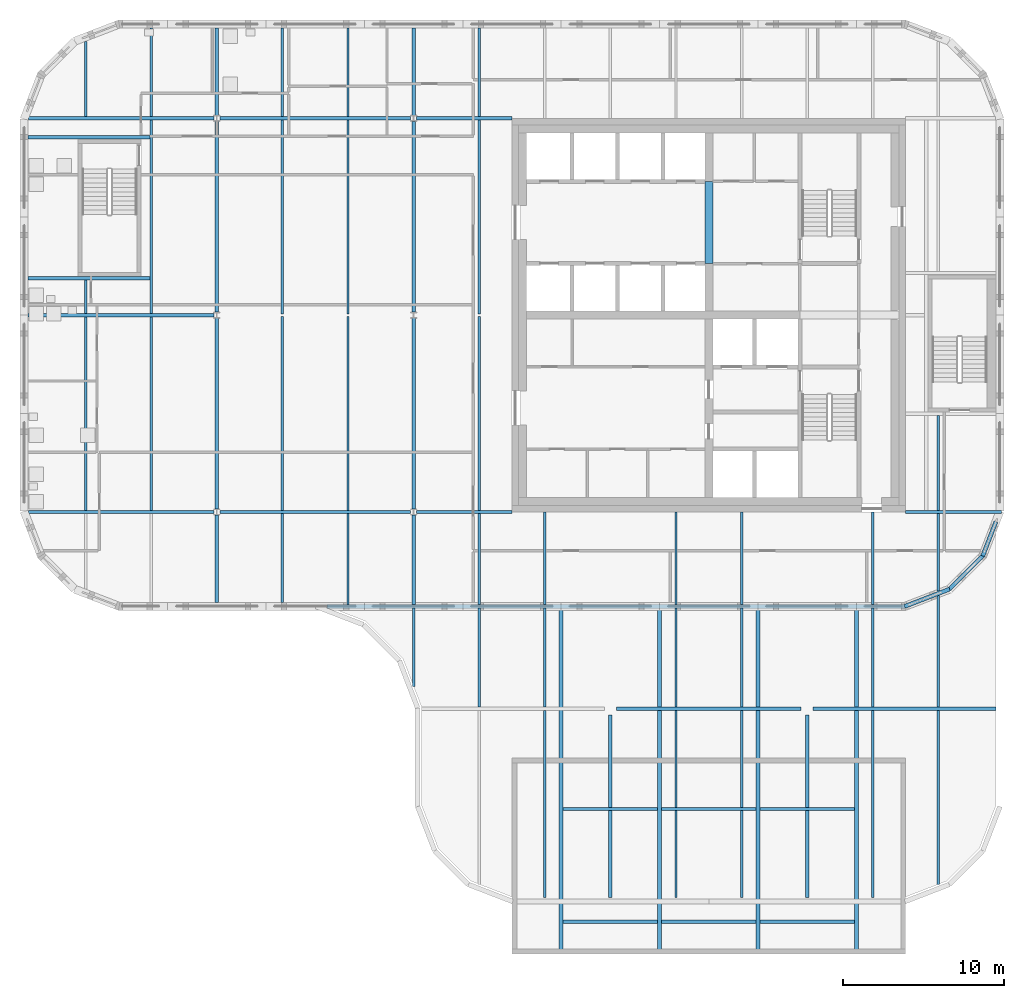
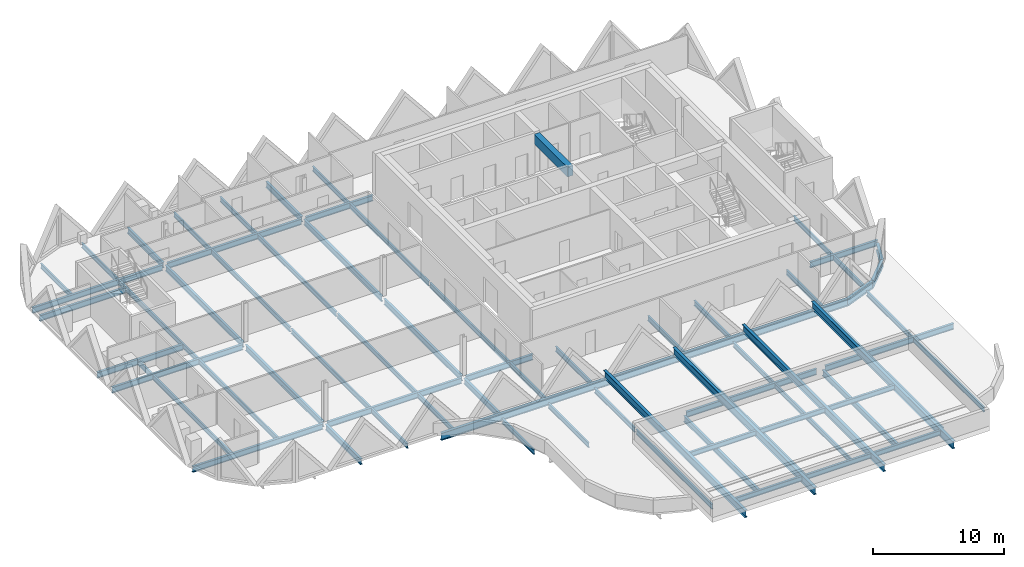
# One storey, part 2 of 12: 73 beams.
"""IFC4 building model written with IfcOpenShell, lengths in metres."""

from ifc_helpers import new_model, si_unit, direction, frame, origin, origin_2d, place, context, subcontext, project, spatial, rectangle, i_section, extrude, material, material_profile, profile_set, type_object, element, save


model = new_model("IFC4")

# Units and contexts
model_context = context("Model", 3, precision=1e-05, world=origin(), true_north=direction((0.0, 1.0)))
body_context = subcontext(model_context, "Body", "Model", "MODEL_VIEW")
ifc_project = project(units=[si_unit("LENGTHUNIT", "METRE"), si_unit("AREAUNIT", "SQUARE_METRE"), si_unit("VOLUMEUNIT", "CUBIC_METRE"), si_unit("PLANEANGLEUNIT", "RADIAN"), si_unit("MASSUNIT", "GRAM", prefix="KILO")], contexts=[model_context])

# Site, building, storey
site_placement = place(None, origin())
site = spatial("IfcSite", under=ifc_project, at=site_placement, CompositionType="ELEMENT")
building_placement = place(site_placement, origin())
building = spatial("IfcBuilding", under=site, at=building_placement, Name="Tessera Gate Towers", CompositionType="ELEMENT")
storey_placement = place(building_placement, frame((0.0, 0.0, 236.89990234375)))
storey = spatial("IfcBuildingStorey", under=building, at=storey_placement, Name="L59", CompositionType="ELEMENT", Elevation=236.89990234375)

# Beams
ifc_material_1 = material(Name="Concrete C40/50", Category="concrete")
ifc_material_profile_1 = material_profile(ifc_material_1, rectangle(XDim=0.5, YDim=0.89990234375, at=origin_2d()), Name="RC 500x900")
ifc_profile_set_1 = profile_set([ifc_material_profile_1], Name="Concrete C40/50")
beam_type_1 = type_object("IfcBeamType", Name="COUPLING BEAM 500x900 C40/50", PredefinedType="BEAM", material=ifc_profile_set_1)
beam_1_placement = place(storey_placement, frame((42.699951171875, 39.800048828125, 3.150146484375), z_axis=(0.0, 1.0, 0.0), x_axis=(-1.0, 0.0, 0.0)))
element("IfcBeam", 1, at=beam_1_placement, inside=storey, type_object=beam_type_1, Name="L59 coupling beam 2", PredefinedType="BEAM", context=body_context, shape_type="SweptSolid", body=[
    extrude(rectangle(XDim=0.5, YDim=0.89990234375, at=origin_2d()), origin(), (0.0, 0.0, 1.0), 5.099853515625),
])
ifc_material_2 = material(Name="Steel 350W", Category="steel")
ifc_material_profile_2 = material_profile(ifc_material_2, i_section(OverallWidth=0.2529296875, OverallDepth=0.677978515625, WebThickness=0.01171875, FlangeThickness=0.016357421875, at=origin_2d()), Name="W690x125")
ifc_profile_set_2 = profile_set([ifc_material_profile_2], Name="Steel 350W")
beam_type_2 = type_object("IfcBeamType", Name="FLOOR EDGE GIRDER W690x125", PredefinedType="BEAM", material=ifc_profile_set_2)
beam_2_placement = place(storey_placement, frame((19.041259765625, 18.550048828125, -0.3388671875), z_axis=(1.0, 0.0, 0.0), x_axis=(0.0, 1.0, 0.0)))
element("IfcBeam", 2, at=beam_2_placement, inside=storey, type_object=beam_type_2, Name="T1-GD-L59-5924", PredefinedType="BEAM", context=body_context, shape_type="SweptSolid", body=[
    extrude(i_section(OverallWidth=0.2529296875, OverallDepth=0.677978515625, WebThickness=0.01171875, FlangeThickness=0.016357421875, at=origin_2d()), origin(), (0.0, 0.0, 1.0), 35.828857421875),
])
beam_3_placement = place(storey_placement, frame((54.837890625, 18.5439453125, -0.3388671875), z_axis=(0.932989517273, 0.359903543549, 0.0), x_axis=(-0.359903543549, 0.932989517273, 0.0)))
element("IfcBeam", 3, at=beam_3_placement, inside=storey, type_object=beam_type_2, Name="T1-GD-L59-5925", PredefinedType="BEAM", context=body_context, shape_type="SweptSolid", body=[
    extrude(i_section(OverallWidth=0.2529296875, OverallDepth=0.677978515625, WebThickness=0.01171875, FlangeThickness=0.016357421875, at=origin_2d()), origin(), (0.0, 0.0, 1.0), 2.990234375),
])
beam_4_placement = place(storey_placement, frame((57.590087890625, 19.595703125, -0.3388671875), z_axis=(0.707106781187, 0.707106781187, 0.0), x_axis=(-0.707106781187, 0.707106781187, 0.0)))
element("IfcBeam", 4, at=beam_4_placement, inside=storey, type_object=beam_type_2, Name="T1-GD-L59-5926", PredefinedType="BEAM", context=body_context, shape_type="SweptSolid", body=[
    extrude(i_section(OverallWidth=0.2529296875, OverallDepth=0.677978515625, WebThickness=0.01171875, FlangeThickness=0.016357421875, at=origin_2d()), origin(), (0.0, 0.0, 1.0), 2.989990234375),
])
beam_5_placement = place(storey_placement, frame((59.6796875, 21.67236328125, -0.3388671875), z_axis=(0.359948002059, 0.932972366051, 0.0), x_axis=(-0.932972366051, 0.359948002059, 0.0)))
element("IfcBeam", 5, at=beam_5_placement, inside=storey, type_object=beam_type_2, Name="T1-GD-L59-5927", PredefinedType="BEAM", context=body_context, shape_type="SweptSolid", body=[
    extrude(i_section(OverallWidth=0.2529296875, OverallDepth=0.677978515625, WebThickness=0.01171875, FlangeThickness=0.016357421875, at=origin_2d()), origin(), (0.0, 0.0, 1.0), 2.279052734375),
])
ifc_material_3 = material(Name="Steel 350W", Category="steel")
ifc_material_profile_3 = material_profile(ifc_material_3, i_section(OverallWidth=0.208984375, OverallDepth=0.532958984375, WebThickness=0.01025390625, FlangeThickness=0.015625, at=origin_2d()), Name="W530x92")
ifc_profile_set_3 = profile_set([ifc_material_profile_3], Name="Steel 350W")
beam_type_3 = type_object("IfcBeamType", Name="FLOOR GIRDER W530x92", PredefinedType="BEAM", material=ifc_profile_set_3)
beam_6_placement = place(storey_placement, frame((0.534912109375, 24.39990234375, -0.46630859375), z_axis=(1.0, 0.0, 0.0), x_axis=(0.0, 1.0, 0.0)))
element("IfcBeam", 6, at=beam_6_placement, inside=storey, type_object=beam_type_3, Name="T1-GD-L59-5928", PredefinedType="BEAM", context=body_context, shape_type="SweptSolid", body=[
    extrude(i_section(OverallWidth=0.208984375, OverallDepth=0.532958984375, WebThickness=0.01025390625, FlangeThickness=0.015625, at=origin_2d()), origin(), (0.0, 0.0, 1.0), 11.478515625),
])
beam_7_placement = place(storey_placement, frame((12.386474609375, 24.39990234375, -0.46630859375), z_axis=(1.0, 0.0, 0.0), x_axis=(0.0, 1.0, 0.0)))
element("IfcBeam", 7, at=beam_7_placement, inside=storey, type_object=beam_type_3, Name="T1-GD-L59-5929", PredefinedType="BEAM", context=body_context, shape_type="SweptSolid", body=[
    extrude(i_section(OverallWidth=0.208984375, OverallDepth=0.532958984375, WebThickness=0.01025390625, FlangeThickness=0.015625, at=origin_2d()), origin(), (0.0, 0.0, 1.0), 11.826904296875),
])
beam_8_placement = place(storey_placement, frame((24.58642578125, 24.39990234375, -0.46630859375), z_axis=(1.0, 0.0, 0.0), x_axis=(0.0, 1.0, 0.0)))
element("IfcBeam", 8, at=beam_8_placement, inside=storey, type_object=beam_type_3, Name="T1-GD-L59-5930", PredefinedType="BEAM", context=body_context, shape_type="SweptSolid", body=[
    extrude(i_section(OverallWidth=0.208984375, OverallDepth=0.532958984375, WebThickness=0.01025390625, FlangeThickness=0.015625, at=origin_2d()), origin(), (0.0, 0.0, 1.0), 5.91259765625),
])
beam_9_placement = place(storey_placement, frame((54.90087890625, 24.39990234375, -0.46630859375), z_axis=(1.0, 0.0, 0.0), x_axis=(0.0, 1.0, 0.0)))
element("IfcBeam", 9, at=beam_9_placement, inside=storey, type_object=beam_type_3, Name="T1-GD-L59-5931", PredefinedType="BEAM", context=body_context, shape_type="SweptSolid", body=[
    extrude(i_section(OverallWidth=0.208984375, OverallDepth=0.532958984375, WebThickness=0.01025390625, FlangeThickness=0.015625, at=origin_2d()), origin(), (0.0, 0.0, 1.0), 5.955810546875),
])
beam_10_placement = place(storey_placement, frame((0.4990234375, 36.60009765625, -0.46630859375), z_axis=(1.0, 0.0, 0.0), x_axis=(0.0, 1.0, 0.0)))
element("IfcBeam", 10, at=beam_10_placement, inside=storey, type_object=beam_type_3, Name="T1-GD-L59-5932", PredefinedType="BEAM", context=body_context, shape_type="SweptSolid", body=[
    extrude(i_section(OverallWidth=0.208984375, OverallDepth=0.532958984375, WebThickness=0.01025390625, FlangeThickness=0.015625, at=origin_2d()), origin(), (0.0, 0.0, 1.0), 11.514404296875),
])
beam_11_placement = place(storey_placement, frame((0.534912109375, 48.800048828125, -0.46630859375), z_axis=(1.0, 0.0, 0.0), x_axis=(0.0, 1.0, 0.0)))
element("IfcBeam", 11, at=beam_11_placement, inside=storey, type_object=beam_type_3, Name="T1-GD-L59-5934", PredefinedType="BEAM", context=body_context, shape_type="SweptSolid", body=[
    extrude(i_section(OverallWidth=0.208984375, OverallDepth=0.532958984375, WebThickness=0.01025390625, FlangeThickness=0.015625, at=origin_2d()), origin(), (0.0, 0.0, 1.0), 11.478515625),
])
beam_12_placement = place(storey_placement, frame((12.386474609375, 48.800048828125, -0.46630859375), z_axis=(1.0, 0.0, 0.0), x_axis=(0.0, 1.0, 0.0)))
element("IfcBeam", 12, at=beam_12_placement, inside=storey, type_object=beam_type_3, Name="T1-GD-L59-5935", PredefinedType="BEAM", context=body_context, shape_type="SweptSolid", body=[
    extrude(i_section(OverallWidth=0.208984375, OverallDepth=0.532958984375, WebThickness=0.01025390625, FlangeThickness=0.015625, at=origin_2d()), origin(), (0.0, 0.0, 1.0), 11.826904296875),
])
beam_13_placement = place(storey_placement, frame((24.58642578125, 48.800048828125, -0.46630859375), z_axis=(1.0, 0.0, 0.0), x_axis=(0.0, 1.0, 0.0)))
element("IfcBeam", 13, at=beam_13_placement, inside=storey, type_object=beam_type_3, Name="T1-GD-L59-5936", PredefinedType="BEAM", context=body_context, shape_type="SweptSolid", body=[
    extrude(i_section(OverallWidth=0.208984375, OverallDepth=0.532958984375, WebThickness=0.01025390625, FlangeThickness=0.015625, at=origin_2d()), origin(), (0.0, 0.0, 1.0), 5.91259765625),
])
beam_14_placement = place(storey_placement, frame((12.199951171875, 18.799072265625, -0.46630859375), z_axis=(0.0, 1.0, 0.0), x_axis=(-1.0, 0.0, 0.0)))
element("IfcBeam", 14, at=beam_14_placement, inside=storey, type_object=beam_type_3, Name="T1-GD-L59-5938", PredefinedType="BEAM", context=body_context, shape_type="SweptSolid", body=[
    extrude(i_section(OverallWidth=0.208984375, OverallDepth=0.532958984375, WebThickness=0.01025390625, FlangeThickness=0.015625, at=origin_2d()), origin(), (0.0, 0.0, 1.0), 5.414306640625),
])
beam_15_placement = place(storey_placement, frame((12.199951171875, 24.58642578125, -0.46630859375), z_axis=(0.0, 1.0, 0.0), x_axis=(-1.0, 0.0, 0.0)))
element("IfcBeam", 15, at=beam_15_placement, inside=storey, type_object=beam_type_3, Name="T1-GD-L59-5939", PredefinedType="BEAM", context=body_context, shape_type="SweptSolid", body=[
    extrude(i_section(OverallWidth=0.208984375, OverallDepth=0.532958984375, WebThickness=0.01025390625, FlangeThickness=0.015625, at=origin_2d()), origin(), (0.0, 0.0, 1.0), 11.8271484375),
])
beam_16_placement = place(storey_placement, frame((12.199951171875, 36.78662109375, -0.46630859375), z_axis=(0.0, 1.0, 0.0), x_axis=(-1.0, 0.0, 0.0)))
element("IfcBeam", 16, at=beam_16_placement, inside=storey, type_object=beam_type_3, Name="T1-GD-L59-5940", PredefinedType="BEAM", context=body_context, shape_type="SweptSolid", body=[
    extrude(i_section(OverallWidth=0.208984375, OverallDepth=0.532958984375, WebThickness=0.01025390625, FlangeThickness=0.015625, at=origin_2d()), origin(), (0.0, 0.0, 1.0), 11.826904296875),
])
beam_17_placement = place(storey_placement, frame((12.199951171875, 48.986572265625, -0.46630859375), z_axis=(0.0, 1.0, 0.0), x_axis=(-1.0, 0.0, 0.0)))
element("IfcBeam", 17, at=beam_17_placement, inside=storey, type_object=beam_type_3, Name="T1-GD-L59-5941", PredefinedType="BEAM", context=body_context, shape_type="SweptSolid", body=[
    extrude(i_section(OverallWidth=0.208984375, OverallDepth=0.532958984375, WebThickness=0.01025390625, FlangeThickness=0.015625, at=origin_2d()), origin(), (0.0, 0.0, 1.0), 5.414306640625),
])
beam_18_placement = place(storey_placement, frame((24.39990234375, 18.676513671875, -0.46630859375), z_axis=(0.0, 1.0, 0.0), x_axis=(-1.0, 0.0, 0.0)))
element("IfcBeam", 18, at=beam_18_placement, inside=storey, type_object=beam_type_3, Name="T1-GD-L59-5942", PredefinedType="BEAM", context=body_context, shape_type="SweptSolid", body=[
    extrude(i_section(OverallWidth=0.208984375, OverallDepth=0.532958984375, WebThickness=0.01025390625, FlangeThickness=0.015625, at=origin_2d()), origin(), (0.0, 0.0, 1.0), 5.536865234375),
])
beam_19_placement = place(storey_placement, frame((24.39990234375, 24.58642578125, -0.46630859375), z_axis=(0.0, 1.0, 0.0), x_axis=(-1.0, 0.0, 0.0)))
element("IfcBeam", 19, at=beam_19_placement, inside=storey, type_object=beam_type_3, Name="T1-GD-L59-5943", PredefinedType="BEAM", context=body_context, shape_type="SweptSolid", body=[
    extrude(i_section(OverallWidth=0.208984375, OverallDepth=0.532958984375, WebThickness=0.01025390625, FlangeThickness=0.015625, at=origin_2d()), origin(), (0.0, 0.0, 1.0), 11.8271484375),
])
beam_20_placement = place(storey_placement, frame((24.39990234375, 36.78662109375, -0.46630859375), z_axis=(0.0, 1.0, 0.0), x_axis=(-1.0, 0.0, 0.0)))
element("IfcBeam", 20, at=beam_20_placement, inside=storey, type_object=beam_type_3, Name="T1-GD-L59-5944", PredefinedType="BEAM", context=body_context, shape_type="SweptSolid", body=[
    extrude(i_section(OverallWidth=0.208984375, OverallDepth=0.532958984375, WebThickness=0.01025390625, FlangeThickness=0.015625, at=origin_2d()), origin(), (0.0, 0.0, 1.0), 11.826904296875),
])
beam_21_placement = place(storey_placement, frame((24.39990234375, 48.986572265625, -0.46630859375), z_axis=(0.0, 1.0, 0.0), x_axis=(-1.0, 0.0, 0.0)))
element("IfcBeam", 21, at=beam_21_placement, inside=storey, type_object=beam_type_3, Name="T1-GD-L59-5945", PredefinedType="BEAM", context=body_context, shape_type="SweptSolid", body=[
    extrude(i_section(OverallWidth=0.208984375, OverallDepth=0.532958984375, WebThickness=0.01025390625, FlangeThickness=0.015625, at=origin_2d()), origin(), (0.0, 0.0, 1.0), 5.414306640625),
])
for number, where, z_axis, x_axis, name in (
    (22, (0.4990234375, 38.8798828125, -0.46630859375), (1.0, 0.0, 0.0), (0.0, 1.0, 0.0), "T1-GD-L59-5946"),
    (23, (0.4990234375, 47.6201171875, -0.46630859375), (1.0, 0.0, 0.0), (0.0, 1.0, 0.0), "T1-GD-L59-5947"),
):
    element("IfcBeam", number, at=place(storey_placement, frame(where, z_axis=z_axis, x_axis=x_axis)), inside=storey, type_object=beam_type_3, Name=name, PredefinedType="BEAM", context=body_context, shape_type="SweptSolid", body=[
        extrude(i_section(OverallWidth=0.208984375, OverallDepth=0.532958984375, WebThickness=0.01025390625, FlangeThickness=0.015625, at=origin_2d()), origin(), (0.0, 0.0, 1.0), 7.557861328125),
    ])
beam_22_placement = place(storey_placement, frame((36.97509765625, 12.199951171875, -0.71630859375), z_axis=(1.0, 0.0, 0.0), x_axis=(0.0, 1.0, 0.0)))
element("IfcBeam", 24, at=beam_22_placement, inside=storey, type_object=beam_type_3, Name="T1-R-GD-L59-5986", PredefinedType="BEAM", context=body_context, shape_type="SweptSolid", body=[
    extrude(i_section(OverallWidth=0.208984375, OverallDepth=0.532958984375, WebThickness=0.01025390625, FlangeThickness=0.015625, at=origin_2d()), origin(), (0.0, 0.0, 1.0), 11.449951171875),
])
for number, where, z_axis, x_axis, name in (
    (25, (49.175048828125, 12.199951171875, -0.71630859375), (1.0, 0.0, 0.0), (0.0, 1.0, 0.0), "T1-R-GD-L59-5987"),
    (26, (36.60009765625, 0.4990234375, -0.71630859375), (0.0, 1.0, 0.0), (-1.0, 0.0, 0.0), "T1-R-GD-L59-5988"),
    (27, (48.800048828125, 0.4990234375, -0.71630859375), (0.0, 1.0, 0.0), (-1.0, 0.0, 0.0), "T1-R-GD-L59-5989"),
):
    element("IfcBeam", number, at=place(storey_placement, frame(where, z_axis=z_axis, x_axis=x_axis)), inside=storey, type_object=beam_type_3, Name=name, PredefinedType="BEAM", context=body_context, shape_type="SweptSolid", body=[
        extrude(i_section(OverallWidth=0.208984375, OverallDepth=0.532958984375, WebThickness=0.01025390625, FlangeThickness=0.015625, at=origin_2d()), origin(), (0.0, 0.0, 1.0), 11.325927734375),
    ])
ifc_material_4 = material(Name="Steel 350W", Category="steel")
ifc_material_profile_4 = material_profile(ifc_material_4, i_section(OverallWidth=0.153076171875, OverallDepth=0.455078125, WebThickness=0.008056640625, FlangeThickness=0.01318359375, at=origin_2d()), Name="W460x60")
ifc_profile_set_4 = profile_set([ifc_material_profile_4], Name="Steel 350W")
beam_type_4 = type_object("IfcBeamType", Name="FLOOR SECONDARY W460x60", PredefinedType="BEAM", material=ifc_profile_set_4)
beam_23_placement = place(storey_placement, frame((4.066650390625, 24.50439453125, -0.427490234375), z_axis=(0.0, 1.0, 0.0), x_axis=(-1.0, 0.0, 0.0)))
element("IfcBeam", 28, at=beam_23_placement, inside=storey, type_object=beam_type_4, Name="T1-BM-L59-5952", PredefinedType="BEAM", context=body_context, shape_type="SweptSolid", body=[
    extrude(i_section(OverallWidth=0.153076171875, OverallDepth=0.455078125, WebThickness=0.008056640625, FlangeThickness=0.01318359375, at=origin_2d()), origin(), (0.0, 0.0, 1.0), 11.9912109375),
])
beam_24_placement = place(storey_placement, frame((4.066650390625, 36.70458984375, -0.427490234375), z_axis=(0.0, 1.0, 0.0), x_axis=(-1.0, 0.0, 0.0)))
element("IfcBeam", 29, at=beam_24_placement, inside=storey, type_object=beam_type_4, Name="T1-BM-L59-5953", PredefinedType="BEAM", context=body_context, shape_type="SweptSolid", body=[
    extrude(i_section(OverallWidth=0.153076171875, OverallDepth=0.455078125, WebThickness=0.008056640625, FlangeThickness=0.01318359375, at=origin_2d()), origin(), (0.0, 0.0, 1.0), 2.07080078125),
])
beam_25_placement = place(storey_placement, frame((4.066650390625, 48.904541015625, -0.427490234375), z_axis=(0.0, 1.0, 0.0), x_axis=(-1.0, 0.0, 0.0)))
element("IfcBeam", 30, at=beam_25_placement, inside=storey, type_object=beam_type_4, Name="T1-BM-L59-5954", PredefinedType="BEAM", context=body_context, shape_type="SweptSolid", body=[
    extrude(i_section(OverallWidth=0.153076171875, OverallDepth=0.455078125, WebThickness=0.008056640625, FlangeThickness=0.01318359375, at=origin_2d()), origin(), (0.0, 0.0, 1.0), 4.675048828125),
])
beam_26_placement = place(storey_placement, frame((8.13330078125, 24.50439453125, -0.427490234375), z_axis=(0.0, 1.0, 0.0), x_axis=(-1.0, 0.0, 0.0)))
element("IfcBeam", 31, at=beam_26_placement, inside=storey, type_object=beam_type_4, Name="T1-BM-L59-5956", PredefinedType="BEAM", context=body_context, shape_type="SweptSolid", body=[
    extrude(i_section(OverallWidth=0.153076171875, OverallDepth=0.455078125, WebThickness=0.008056640625, FlangeThickness=0.01318359375, at=origin_2d()), origin(), (0.0, 0.0, 1.0), 11.9912109375),
])
beam_27_placement = place(storey_placement, frame((8.13330078125, 36.70458984375, -0.427490234375), z_axis=(0.0, 1.0, 0.0), x_axis=(-1.0, 0.0, 0.0)))
element("IfcBeam", 32, at=beam_27_placement, inside=storey, type_object=beam_type_4, Name="T1-BM-L59-5957", PredefinedType="BEAM", context=body_context, shape_type="SweptSolid", body=[
    extrude(i_section(OverallWidth=0.153076171875, OverallDepth=0.455078125, WebThickness=0.008056640625, FlangeThickness=0.01318359375, at=origin_2d()), origin(), (0.0, 0.0, 1.0), 11.990966796875),
])
for number, where, z_axis, x_axis, name in (
    (33, (8.13330078125, 48.904541015625, -0.427490234375), (0.0, 1.0, 0.0), (-1.0, 0.0, 0.0), "T1-BM-L59-5958"),
    (34, (16.2666015625, 18.800048828125, -0.427490234375), (0.0, 1.0, 0.0), (-1.0, 0.0, 0.0), "T1-BM-L59-5959"),
):
    element("IfcBeam", number, at=place(storey_placement, frame(where, z_axis=z_axis, x_axis=x_axis)), inside=storey, type_object=beam_type_4, Name=name, PredefinedType="BEAM", context=body_context, shape_type="SweptSolid", body=[
        extrude(i_section(OverallWidth=0.153076171875, OverallDepth=0.455078125, WebThickness=0.008056640625, FlangeThickness=0.01318359375, at=origin_2d()), origin(), (0.0, 0.0, 1.0), 5.495361328125),
    ])
for number, where, z_axis, x_axis, name in (
    (35, (16.2666015625, 24.50439453125, -0.427490234375), (0.0, 1.0, 0.0), (-1.0, 0.0, 0.0), "T1-BM-L59-5960"),
    (36, (16.2666015625, 36.679931640625, -0.427490234375), (0.0, 1.0, 0.0), (-1.0, 0.0, 0.0), "T1-BM-L59-5961"),
):
    element("IfcBeam", number, at=place(storey_placement, frame(where, z_axis=z_axis, x_axis=x_axis)), inside=storey, type_object=beam_type_4, Name=name, PredefinedType="BEAM", context=body_context, shape_type="SweptSolid", body=[
        extrude(i_section(OverallWidth=0.153076171875, OverallDepth=0.455078125, WebThickness=0.008056640625, FlangeThickness=0.01318359375, at=origin_2d()), origin(), (0.0, 0.0, 1.0), 12.015625),
    ])
beam_28_placement = place(storey_placement, frame((16.2666015625, 48.904541015625, -0.427490234375), z_axis=(0.0, 1.0, 0.0), x_axis=(-1.0, 0.0, 0.0)))
element("IfcBeam", 37, at=beam_28_placement, inside=storey, type_object=beam_type_4, Name="T1-BM-L59-5962", PredefinedType="BEAM", context=body_context, shape_type="SweptSolid", body=[
    extrude(i_section(OverallWidth=0.153076171875, OverallDepth=0.455078125, WebThickness=0.008056640625, FlangeThickness=0.01318359375, at=origin_2d()), origin(), (0.0, 0.0, 1.0), 5.495361328125),
])
beam_29_placement = place(storey_placement, frame((20.333251953125, 18.676513671875, -0.427490234375), z_axis=(0.0, 1.0, 0.0), x_axis=(-1.0, 0.0, 0.0)))
element("IfcBeam", 38, at=beam_29_placement, inside=storey, type_object=beam_type_4, Name="T1-BM-L59-5963", PredefinedType="BEAM", context=body_context, shape_type="SweptSolid", body=[
    extrude(i_section(OverallWidth=0.153076171875, OverallDepth=0.455078125, WebThickness=0.008056640625, FlangeThickness=0.01318359375, at=origin_2d()), origin(), (0.0, 0.0, 1.0), 5.618896484375),
])
for number, where, z_axis, x_axis, name in (
    (39, (20.333251953125, 24.50439453125, -0.427490234375), (0.0, 1.0, 0.0), (-1.0, 0.0, 0.0), "T1-BM-L59-5964"),
    (40, (20.333251953125, 36.679931640625, -0.427490234375), (0.0, 1.0, 0.0), (-1.0, 0.0, 0.0), "T1-BM-L59-5965"),
):
    element("IfcBeam", number, at=place(storey_placement, frame(where, z_axis=z_axis, x_axis=x_axis)), inside=storey, type_object=beam_type_4, Name=name, PredefinedType="BEAM", context=body_context, shape_type="SweptSolid", body=[
        extrude(i_section(OverallWidth=0.153076171875, OverallDepth=0.455078125, WebThickness=0.008056640625, FlangeThickness=0.01318359375, at=origin_2d()), origin(), (0.0, 0.0, 1.0), 12.015625),
    ])
beam_30_placement = place(storey_placement, frame((20.333251953125, 48.904541015625, -0.427490234375), z_axis=(0.0, 1.0, 0.0), x_axis=(-1.0, 0.0, 0.0)))
element("IfcBeam", 41, at=beam_30_placement, inside=storey, type_object=beam_type_4, Name="T1-BM-L59-5966", PredefinedType="BEAM", context=body_context, shape_type="SweptSolid", body=[
    extrude(i_section(OverallWidth=0.153076171875, OverallDepth=0.455078125, WebThickness=0.008056640625, FlangeThickness=0.01318359375, at=origin_2d()), origin(), (0.0, 0.0, 1.0), 5.495361328125),
])
beam_31_placement = place(storey_placement, frame((28.466796875, 18.676513671875, -0.427490234375), z_axis=(0.0, 1.0, 0.0), x_axis=(-1.0, 0.0, 0.0)))
element("IfcBeam", 42, at=beam_31_placement, inside=storey, type_object=beam_type_4, Name="T1-BM-L59-5967", PredefinedType="BEAM", context=body_context, shape_type="SweptSolid", body=[
    extrude(i_section(OverallWidth=0.153076171875, OverallDepth=0.455078125, WebThickness=0.008056640625, FlangeThickness=0.01318359375, at=origin_2d()), origin(), (0.0, 0.0, 1.0), 5.618896484375),
])
for number, where, z_axis, x_axis, name in (
    (43, (28.466796875, 24.50439453125, -0.427490234375), (0.0, 1.0, 0.0), (-1.0, 0.0, 0.0), "T1-BM-L59-5968"),
    (44, (28.466796875, 36.679931640625, -0.427490234375), (0.0, 1.0, 0.0), (-1.0, 0.0, 0.0), "T1-BM-L59-5969"),
):
    element("IfcBeam", number, at=place(storey_placement, frame(where, z_axis=z_axis, x_axis=x_axis)), inside=storey, type_object=beam_type_4, Name=name, PredefinedType="BEAM", context=body_context, shape_type="SweptSolid", body=[
        extrude(i_section(OverallWidth=0.153076171875, OverallDepth=0.455078125, WebThickness=0.008056640625, FlangeThickness=0.01318359375, at=origin_2d()), origin(), (0.0, 0.0, 1.0), 12.015625),
    ])
beam_32_placement = place(storey_placement, frame((28.466796875, 48.904541015625, -0.427490234375), z_axis=(0.0, 1.0, 0.0), x_axis=(-1.0, 0.0, 0.0)))
element("IfcBeam", 45, at=beam_32_placement, inside=storey, type_object=beam_type_4, Name="T1-BM-L59-5970", PredefinedType="BEAM", context=body_context, shape_type="SweptSolid", body=[
    extrude(i_section(OverallWidth=0.153076171875, OverallDepth=0.455078125, WebThickness=0.008056640625, FlangeThickness=0.01318359375, at=origin_2d()), origin(), (0.0, 0.0, 1.0), 5.495361328125),
])
for number, where, z_axis, x_axis, name in (
    (46, (32.533203125, 18.676513671875, -0.427490234375), (0.0, 1.0, 0.0), (-1.0, 0.0, 0.0), "T1-BM-L59-5971"),
    (47, (40.666748046875, 18.676513671875, -0.427490234375), (0.0, 1.0, 0.0), (-1.0, 0.0, 0.0), "T1-BM-L59-5974"),
    (48, (44.7333984375, 18.676513671875, -0.427490234375), (0.0, 1.0, 0.0), (-1.0, 0.0, 0.0), "T1-BM-L59-5976"),
    (49, (52.86669921875, 18.676513671875, -0.427490234375), (0.0, 1.0, 0.0), (-1.0, 0.0, 0.0), "T1-BM-L59-5979"),
):
    element("IfcBeam", number, at=place(storey_placement, frame(where, z_axis=z_axis, x_axis=x_axis)), inside=storey, type_object=beam_type_4, Name=name, PredefinedType="BEAM", context=body_context, shape_type="SweptSolid", body=[
        extrude(i_section(OverallWidth=0.153076171875, OverallDepth=0.455078125, WebThickness=0.008056640625, FlangeThickness=0.01318359375, at=origin_2d()), origin(), (0.0, 0.0, 1.0), 5.723388671875),
    ])
beam_33_placement = place(storey_placement, frame((56.933349609375, 19.48779296875, -0.427490234375), z_axis=(0.0, 1.0, 0.0), x_axis=(-1.0, 0.0, 0.0)))
element("IfcBeam", 50, at=beam_33_placement, inside=storey, type_object=beam_type_4, Name="T1-BM-L59-5981", PredefinedType="BEAM", context=body_context, shape_type="SweptSolid", body=[
    extrude(i_section(OverallWidth=0.153076171875, OverallDepth=0.455078125, WebThickness=0.008056640625, FlangeThickness=0.01318359375, at=origin_2d()), origin(), (0.0, 0.0, 1.0), 4.8076171875),
])
beam_34_placement = place(storey_placement, frame((56.933349609375, 24.50439453125, -0.427490234375), z_axis=(0.0, 1.0, 0.0), x_axis=(-1.0, 0.0, 0.0)))
element("IfcBeam", 51, at=beam_34_placement, inside=storey, type_object=beam_type_4, Name="T1-BM-L59-5982", PredefinedType="BEAM", context=body_context, shape_type="SweptSolid", body=[
    extrude(i_section(OverallWidth=0.153076171875, OverallDepth=0.455078125, WebThickness=0.008056640625, FlangeThickness=0.01318359375, at=origin_2d()), origin(), (0.0, 0.0, 1.0), 5.87109375),
])
beam_35_placement = place(storey_placement, frame((24.39990234375, 13.58935546875, -0.677490234375), z_axis=(0.0, 1.0, 0.0), x_axis=(-1.0, 0.0, 0.0)))
element("IfcBeam", 52, at=beam_35_placement, inside=storey, type_object=beam_type_4, Name="T1-R-BM-L59-5990", PredefinedType="BEAM", context=body_context, shape_type="SweptSolid", body=[
    extrude(i_section(OverallWidth=0.153076171875, OverallDepth=0.455078125, WebThickness=0.008056640625, FlangeThickness=0.01318359375, at=origin_2d()), origin(), (0.0, 0.0, 1.0), 4.856201171875),
])
beam_36_placement = place(storey_placement, frame((28.466796875, 12.304443359375, -0.677490234375), z_axis=(0.0, 1.0, 0.0), x_axis=(-1.0, 0.0, 0.0)))
element("IfcBeam", 53, at=beam_36_placement, inside=storey, type_object=beam_type_4, Name="T1-R-BM-L59-5992", PredefinedType="BEAM", context=body_context, shape_type="SweptSolid", body=[
    extrude(i_section(OverallWidth=0.153076171875, OverallDepth=0.455078125, WebThickness=0.008056640625, FlangeThickness=0.01318359375, at=origin_2d()), origin(), (0.0, 0.0, 1.0), 6.14111328125),
])
beam_37_placement = place(storey_placement, frame((32.533203125, 0.5, -0.677490234375), z_axis=(0.0, 1.0, 0.0), x_axis=(-1.0, 0.0, 0.0)))
element("IfcBeam", 54, at=beam_37_placement, inside=storey, type_object=beam_type_4, Name="T1-R-BM-L59-5993", PredefinedType="BEAM", context=body_context, shape_type="SweptSolid", body=[
    extrude(i_section(OverallWidth=0.153076171875, OverallDepth=0.455078125, WebThickness=0.008056640625, FlangeThickness=0.01318359375, at=origin_2d()), origin(), (0.0, 0.0, 1.0), 11.595458984375),
])
beam_38_placement = place(storey_placement, frame((32.533203125, 12.304443359375, -0.677490234375), z_axis=(0.0, 1.0, 0.0), x_axis=(-1.0, 0.0, 0.0)))
element("IfcBeam", 55, at=beam_38_placement, inside=storey, type_object=beam_type_4, Name="T1-R-BM-L59-5994", PredefinedType="BEAM", context=body_context, shape_type="SweptSolid", body=[
    extrude(i_section(OverallWidth=0.153076171875, OverallDepth=0.455078125, WebThickness=0.008056640625, FlangeThickness=0.01318359375, at=origin_2d()), origin(), (0.0, 0.0, 1.0), 6.14111328125),
])
beam_39_placement = place(storey_placement, frame((40.666748046875, 0.5, -0.677490234375), z_axis=(0.0, 1.0, 0.0), x_axis=(-1.0, 0.0, 0.0)))
element("IfcBeam", 56, at=beam_39_placement, inside=storey, type_object=beam_type_4, Name="T1-R-BM-L59-5995", PredefinedType="BEAM", context=body_context, shape_type="SweptSolid", body=[
    extrude(i_section(OverallWidth=0.153076171875, OverallDepth=0.455078125, WebThickness=0.008056640625, FlangeThickness=0.01318359375, at=origin_2d()), origin(), (0.0, 0.0, 1.0), 11.595458984375),
])
beam_40_placement = place(storey_placement, frame((40.666748046875, 12.304443359375, -0.677490234375), z_axis=(0.0, 1.0, 0.0), x_axis=(-1.0, 0.0, 0.0)))
element("IfcBeam", 57, at=beam_40_placement, inside=storey, type_object=beam_type_4, Name="T1-R-BM-L59-5996", PredefinedType="BEAM", context=body_context, shape_type="SweptSolid", body=[
    extrude(i_section(OverallWidth=0.153076171875, OverallDepth=0.455078125, WebThickness=0.008056640625, FlangeThickness=0.01318359375, at=origin_2d()), origin(), (0.0, 0.0, 1.0), 6.14111328125),
])
beam_41_placement = place(storey_placement, frame((44.7333984375, 0.5, -0.677490234375), z_axis=(0.0, 1.0, 0.0), x_axis=(-1.0, 0.0, 0.0)))
element("IfcBeam", 58, at=beam_41_placement, inside=storey, type_object=beam_type_4, Name="T1-R-BM-L59-5997", PredefinedType="BEAM", context=body_context, shape_type="SweptSolid", body=[
    extrude(i_section(OverallWidth=0.153076171875, OverallDepth=0.455078125, WebThickness=0.008056640625, FlangeThickness=0.01318359375, at=origin_2d()), origin(), (0.0, 0.0, 1.0), 11.595458984375),
])
beam_42_placement = place(storey_placement, frame((44.7333984375, 12.304443359375, -0.677490234375), z_axis=(0.0, 1.0, 0.0), x_axis=(-1.0, 0.0, 0.0)))
element("IfcBeam", 59, at=beam_42_placement, inside=storey, type_object=beam_type_4, Name="T1-R-BM-L59-5998", PredefinedType="BEAM", context=body_context, shape_type="SweptSolid", body=[
    extrude(i_section(OverallWidth=0.153076171875, OverallDepth=0.455078125, WebThickness=0.008056640625, FlangeThickness=0.01318359375, at=origin_2d()), origin(), (0.0, 0.0, 1.0), 6.14111328125),
])
beam_43_placement = place(storey_placement, frame((52.86669921875, 0.5, -0.677490234375), z_axis=(0.0, 1.0, 0.0), x_axis=(-1.0, 0.0, 0.0)))
element("IfcBeam", 60, at=beam_43_placement, inside=storey, type_object=beam_type_4, Name="T1-R-BM-L59-5999", PredefinedType="BEAM", context=body_context, shape_type="SweptSolid", body=[
    extrude(i_section(OverallWidth=0.153076171875, OverallDepth=0.455078125, WebThickness=0.008056640625, FlangeThickness=0.01318359375, at=origin_2d()), origin(), (0.0, 0.0, 1.0), 11.595458984375),
])
beam_44_placement = place(storey_placement, frame((52.86669921875, 12.304443359375, -0.677490234375), z_axis=(0.0, 1.0, 0.0), x_axis=(-1.0, 0.0, 0.0)))
element("IfcBeam", 61, at=beam_44_placement, inside=storey, type_object=beam_type_4, Name="T1-R-BM-L59-6000", PredefinedType="BEAM", context=body_context, shape_type="SweptSolid", body=[
    extrude(i_section(OverallWidth=0.153076171875, OverallDepth=0.455078125, WebThickness=0.008056640625, FlangeThickness=0.01318359375, at=origin_2d()), origin(), (0.0, 0.0, 1.0), 6.14111328125),
])
beam_45_placement = place(storey_placement, frame((56.933349609375, 1.3203125, -0.677490234375), z_axis=(0.0, 1.0, 0.0), x_axis=(-1.0, 0.0, 0.0)))
element("IfcBeam", 62, at=beam_45_placement, inside=storey, type_object=beam_type_4, Name="T1-R-BM-L59-6001", PredefinedType="BEAM", context=body_context, shape_type="SweptSolid", body=[
    extrude(i_section(OverallWidth=0.153076171875, OverallDepth=0.455078125, WebThickness=0.008056640625, FlangeThickness=0.01318359375, at=origin_2d()), origin(), (0.0, 0.0, 1.0), 10.775146484375),
])
beam_46_placement = place(storey_placement, frame((56.933349609375, 12.304443359375, -0.677490234375), z_axis=(0.0, 1.0, 0.0), x_axis=(-1.0, 0.0, 0.0)))
element("IfcBeam", 63, at=beam_46_placement, inside=storey, type_object=beam_type_4, Name="T1-R-BM-L59-6002", PredefinedType="BEAM", context=body_context, shape_type="SweptSolid", body=[
    extrude(i_section(OverallWidth=0.153076171875, OverallDepth=0.455078125, WebThickness=0.008056640625, FlangeThickness=0.01318359375, at=origin_2d()), origin(), (0.0, 0.0, 1.0), 6.935791015625),
])
ifc_material_5 = material(Name="Steel 350W", Category="steel")
ifc_material_profile_5 = material_profile(ifc_material_5, i_section(OverallWidth=0.25390625, OverallDepth=0.68798828125, WebThickness=0.012451171875, FlangeThickness=0.02099609375, at=origin_2d()), Name="W690x152")
ifc_profile_set_5 = profile_set([ifc_material_profile_5], Name="Steel 350W")
beam_type_5 = type_object("IfcBeamType", Name="POOL CANTILEVER GIRDER W690x152", PredefinedType="BEAM", material=ifc_profile_set_5)
for number, where, z_axis, x_axis, name in (
    (64, (33.550048828125, -2.85009765625, 0.343994140625), (0.0, 1.0, 0.0), (-1.0, 0.0, 0.0), "T1-POOL-GD1"),
    (65, (39.64990234375, -2.85009765625, 0.343994140625), (0.0, 1.0, 0.0), (-1.0, 0.0, 0.0), "T1-POOL-GD2"),
    (66, (45.75, -2.85009765625, 0.343994140625), (0.0, 1.0, 0.0), (-1.0, 0.0, 0.0), "T1-POOL-GD3"),
    (67, (51.85009765625, -2.85009765625, 0.343994140625), (0.0, 1.0, 0.0), (-1.0, 0.0, 0.0), "T1-POOL-GD4"),
):
    element("IfcBeam", number, at=place(storey_placement, frame(where, z_axis=z_axis, x_axis=x_axis)), inside=storey, type_object=beam_type_5, Name=name, PredefinedType="BEAM", context=body_context, shape_type="SweptSolid", body=[
        extrude(i_section(OverallWidth=0.25390625, OverallDepth=0.68798828125, WebThickness=0.012451171875, FlangeThickness=0.02099609375, at=origin_2d()), origin(), (0.0, 0.0, 1.0), 21.53662109375),
    ])
ifc_material_6 = material(Name="Steel 350W", Category="steel")
ifc_material_profile_6 = material_profile(ifc_material_6, i_section(OverallWidth=0.19189453125, OverallDepth=0.462890625, WebThickness=0.010498046875, FlangeThickness=0.017578125, at=origin_2d()), Name="W460x89")
ifc_profile_set_6 = profile_set([ifc_material_profile_6], Name="Steel 350W")
beam_type_6 = type_object("IfcBeamType", Name="POOL CROSS BEAM W460x89", PredefinedType="BEAM", material=ifc_profile_set_6)
for number, where, z_axis, x_axis, name in (
    (68, (33.677001953125, -1.0, 0.45654296875), (1.0, 0.0, 0.0), (0.0, 1.0, 0.0), "T1-POOL-XB1-1"),
    (69, (39.777099609375, -1.0, 0.45654296875), (1.0, 0.0, 0.0), (0.0, 1.0, 0.0), "T1-POOL-XB1-2"),
    (70, (45.876953125, -1.0, 0.45654296875), (1.0, 0.0, 0.0), (0.0, 1.0, 0.0), "T1-POOL-XB1-3"),
    (71, (33.677001953125, 6.0, 0.45654296875), (1.0, 0.0, 0.0), (0.0, 1.0, 0.0), "T1-POOL-XB2-1"),
    (72, (39.777099609375, 6.0, 0.45654296875), (1.0, 0.0, 0.0), (0.0, 1.0, 0.0), "T1-POOL-XB2-2"),
    (73, (45.876953125, 6.0, 0.45654296875), (1.0, 0.0, 0.0), (0.0, 1.0, 0.0), "T1-POOL-XB2-3"),
):
    element("IfcBeam", number, at=place(storey_placement, frame(where, z_axis=z_axis, x_axis=x_axis)), inside=storey, type_object=beam_type_6, Name=name, PredefinedType="BEAM", context=body_context, shape_type="SweptSolid", body=[
        extrude(i_section(OverallWidth=0.19189453125, OverallDepth=0.462890625, WebThickness=0.010498046875, FlangeThickness=0.017578125, at=origin_2d()), origin(), (0.0, 0.0, 1.0), 5.845947265625),
    ])

save(model, "model.ifc")
